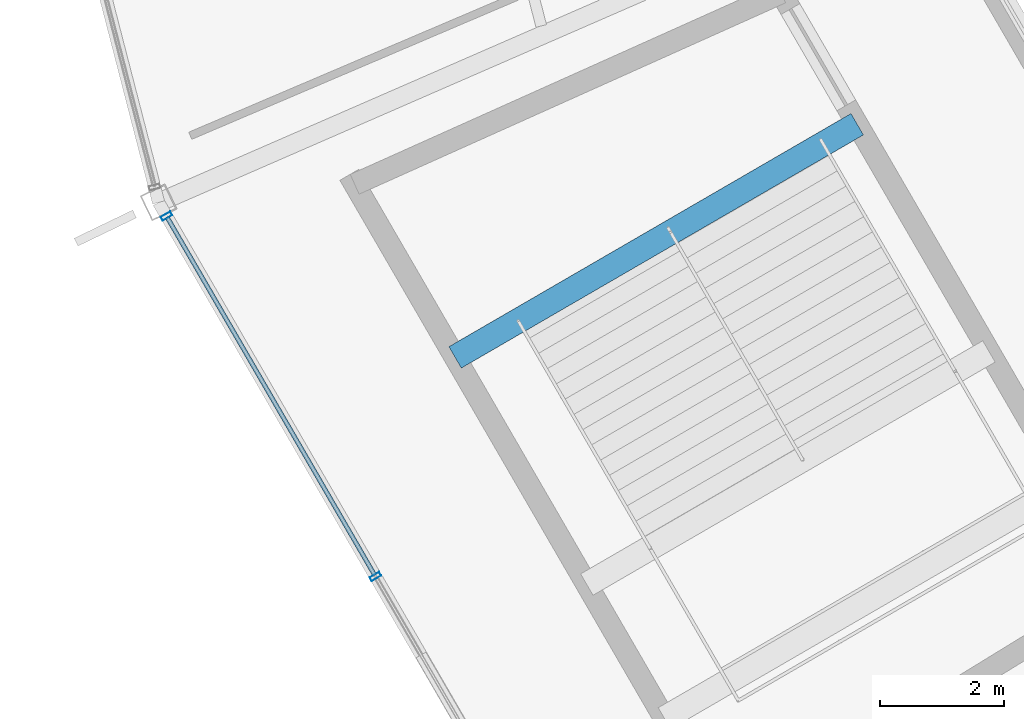
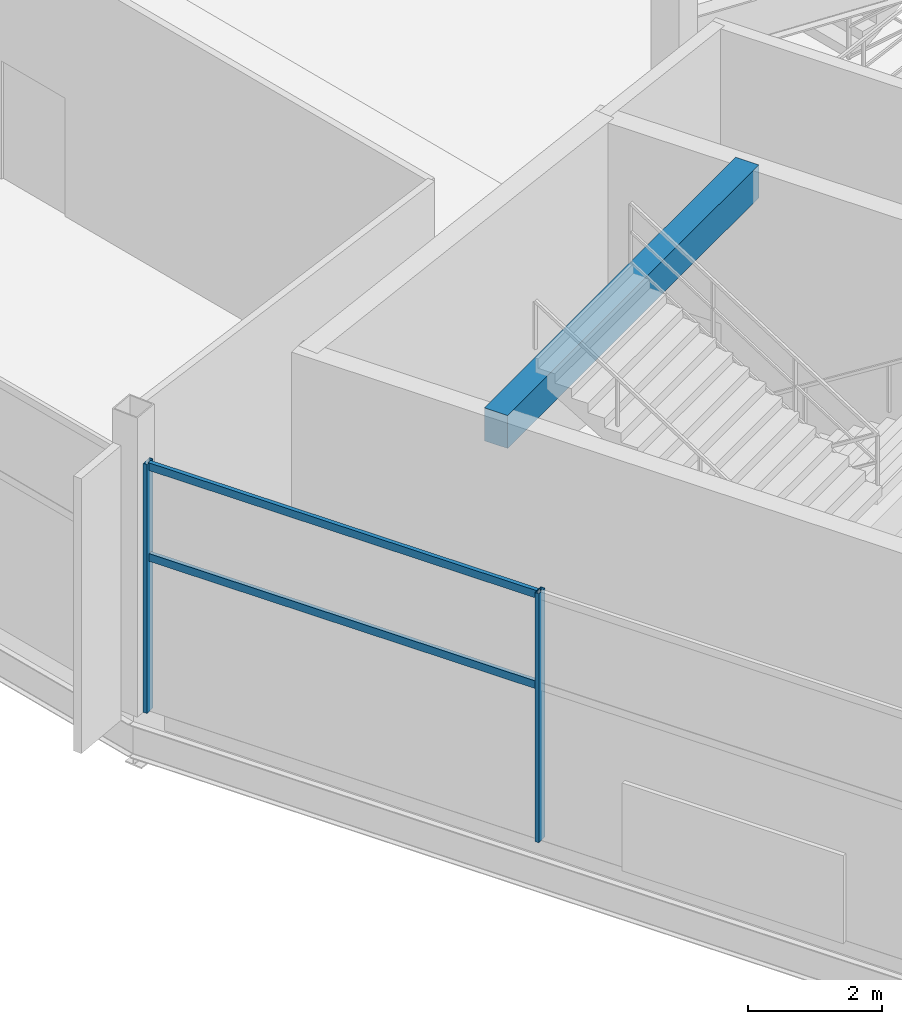
# One storey, part 21 of 186: 4 members, 1 beam, 1 element without a shape of its own.
"""IFC4 building model written with IfcOpenShell, lengths in metres."""

from ifc_helpers import new_model, si_unit, direction, frame, origin, origin_2d, place, context, subcontext, project, spatial, rectangle, hollow_rectangle, extrude, material, layer, layer_set, material_profile, profile_set, type_object, element, aggregate, save


model = new_model("IFC4")

# Units and contexts
model_context = context("Model", 3, precision=1e-05, world=origin(), true_north=direction((0.0, 1.0)))
body_context = subcontext(model_context, "Body", "Model", "MODEL_VIEW")
ifc_project = project(units=[si_unit("LENGTHUNIT", "METRE"), si_unit("AREAUNIT", "SQUARE_METRE"), si_unit("VOLUMEUNIT", "CUBIC_METRE"), si_unit("PLANEANGLEUNIT", "RADIAN"), si_unit("MASSUNIT", "GRAM", prefix="KILO")], contexts=[model_context])

# Site, building, storey
site_placement = place(None, origin())
site = spatial("IfcSite", under=ifc_project, at=site_placement, CompositionType="ELEMENT")
building_placement = place(site_placement, origin())
building = spatial("IfcBuilding", under=site, at=building_placement, Name="Kazemori Nagisa Stadium", CompositionType="ELEMENT")
storey_placement = place(building_placement, frame((0.0, 0.0, 20.39990234375)))
storey = spatial("IfcBuildingStorey", under=building, at=storey_placement, Name="L04", CompositionType="ELEMENT", Elevation=20.39990234375)

# Beam
ifc_material_1 = material(Name="Concrete C40/50 (Fc42)", Category="concrete")
ifc_material_profile_1 = material_profile(ifc_material_1, rectangle(XDim=0.39990234375, YDim=0.60009765625, at=origin_2d()), Name="RC-BM-400x600")
ifc_profile_set_1 = profile_set([ifc_material_profile_1], Name="Concrete C40/50 (Fc42)")
beam_type = type_object("IfcBeamType", Name="Beam_BG-LND400X600", PredefinedType="BEAM", material=ifc_profile_set_1)
beam_placement = place(storey_placement, frame((45.408203125, 64.5146484375, 4.880126953125), z_axis=(-0.865086463473, -0.50162277731, 0.0), x_axis=(0.50162277731, -0.865086463473, 0.0)))
element("IfcBeam", 1, at=beam_placement, inside=storey, type_object=beam_type, Name="Core stair arrival header girder ST09-L04", PredefinedType="BEAM", context=body_context, shape_type="SweptSolid", body=[
    extrude(rectangle(XDim=0.39990234375, YDim=0.60009765625, at=origin_2d()), origin(), (0.0, 0.0, 1.0), 7.513671875),
])

# Curtain wall, members
ifc_material_2 = material(Name="Anodised aluminium 6063-T5", Category="aluminium")
ifc_layer = layer(ifc_material_2, 0.179931640625, Name="Anodised aluminium 6063-T5", Category="aluminium")
ifc_layer_set = layer_set([ifc_layer], Name="Anodised aluminium 6063-T5")
curtain_wall_type = type_object("IfcCurtainWallType", Name="CW_L04R3_101", PredefinedType="USERDEFINED", material=ifc_layer_set)
curtain_wall_placement = place(storey_placement, origin())
curtain_wall = element("IfcCurtainWall", 2, at=curtain_wall_placement, inside=storey, type_object=curtain_wall_type, Name="Unitised curtain wall CW-L04R3-101 L04", ObjectType="UNITISED CURTAIN WALL", PredefinedType="USERDEFINED")
ifc_material_3 = material(Name="Aluminium 6063-T5 anodised", Category="aluminium")
ifc_material_profile_2 = material_profile(ifc_material_3, hollow_rectangle(XDim=0.070068359375, YDim=0.179931640625, WallThickness=0.00390625, at=origin_2d()), Name="ALU-MULL-70x180x4")
ifc_profile_set_2 = profile_set([ifc_material_profile_2], Name="Aluminium 6063-T5 anodised")
member_type_1 = type_object("IfcMemberType", Name="Mullion_M01", PredefinedType="MULLION", material=ifc_profile_set_2)
member_1_placement = place(storey_placement, frame((34.242919921875, 63.02978515625, 0.0), z_axis=(0.0, 0.0, 1.0), x_axis=(0.501611590054, -0.865092950337, 0.0)))
member_1 = element("IfcMember", 3, at=member_1_placement, type_object=member_type_1, Name="Curtain wall mullion CW-L04R3-101-M1", PredefinedType="MULLION", context=body_context, shape_type="SweptSolid", body=[
    extrude(hollow_rectangle(XDim=0.070068359375, YDim=0.179931640625, WallThickness=0.00390625, at=origin_2d()), origin(), (0.0, 0.0, 1.0), 4.530029296875),
])
member_2_placement = place(storey_placement, frame((37.620849609375, 57.204345703125, 0.0), z_axis=(0.0, 0.0, 1.0), x_axis=(0.501611590054, -0.865092950337, 0.0)))
member_2 = element("IfcMember", 4, at=member_2_placement, type_object=member_type_1, Name="Curtain wall mullion CW-L04R3-101-M2", PredefinedType="MULLION", context=body_context, shape_type="SweptSolid", body=[
    extrude(hollow_rectangle(XDim=0.070068359375, YDim=0.179931640625, WallThickness=0.00390625, at=origin_2d()), origin(), (0.0, 0.0, 1.0), 4.530029296875),
])
ifc_material_profile_3 = material_profile(ifc_material_3, hollow_rectangle(XDim=0.070068359375, YDim=0.139892578125, WallThickness=0.00390625, at=origin_2d()), Name="ALU-TRAN-70x140x4")
ifc_profile_set_3 = profile_set([ifc_material_profile_3], Name="Aluminium 6063-T5 anodised")
member_type_2 = type_object("IfcMemberType", Name="Transom_T01", PredefinedType="USERDEFINED", material=ifc_profile_set_3)
member_3_placement = place(storey_placement, frame((34.2529296875, 63.012451171875, 2.80859375), z_axis=(0.50161984125, -0.865088165948, 0.0), x_axis=(0.865088165948, 0.50161984125, 0.0)))
member_3 = element("IfcMember", 5, at=member_3_placement, type_object=member_type_2, Name="Curtain wall transom CW-L04R3-101-T1-mid", ObjectType="TRANSOM", PredefinedType="USERDEFINED", context=body_context, shape_type="SweptSolid", body=[
    extrude(hollow_rectangle(XDim=0.070068359375, YDim=0.139892578125, WallThickness=0.00390625, at=origin_2d()), origin(), (0.0, 0.0, 1.0), 6.694091796875),
])
member_4_placement = place(storey_placement, frame((34.2529296875, 63.012451171875, 4.460205078125), z_axis=(0.50161984125, -0.865088165948, 0.0), x_axis=(0.865088165948, 0.50161984125, 0.0)))
member_4 = element("IfcMember", 6, at=member_4_placement, type_object=member_type_2, Name="Curtain wall transom CW-L04R3-101-T1-head", ObjectType="TRANSOM", PredefinedType="USERDEFINED", context=body_context, shape_type="SweptSolid", body=[
    extrude(hollow_rectangle(XDim=0.070068359375, YDim=0.139892578125, WallThickness=0.00390625, at=origin_2d()), origin(), (0.0, 0.0, 1.0), 6.694091796875),
])
aggregate(curtain_wall, [member_1, member_2, member_3, member_4])

save(model, "model.ifc")
